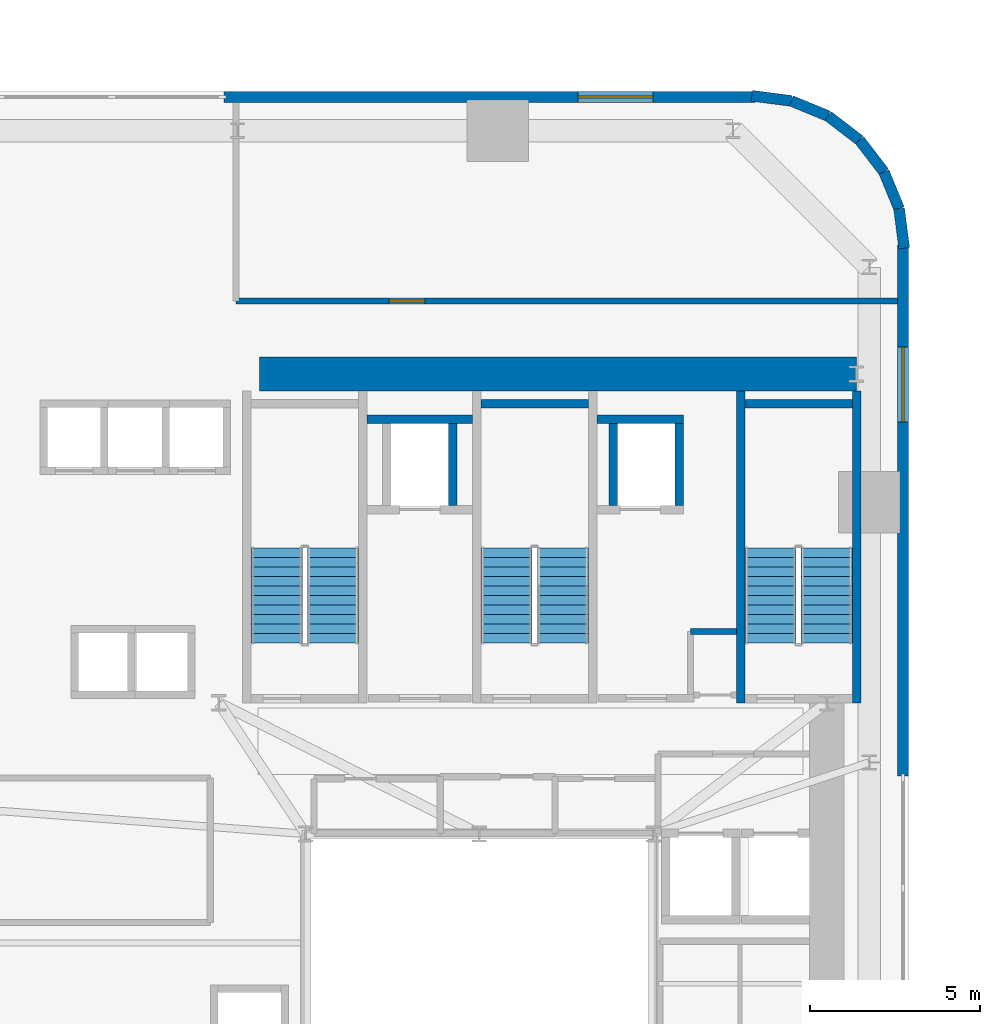
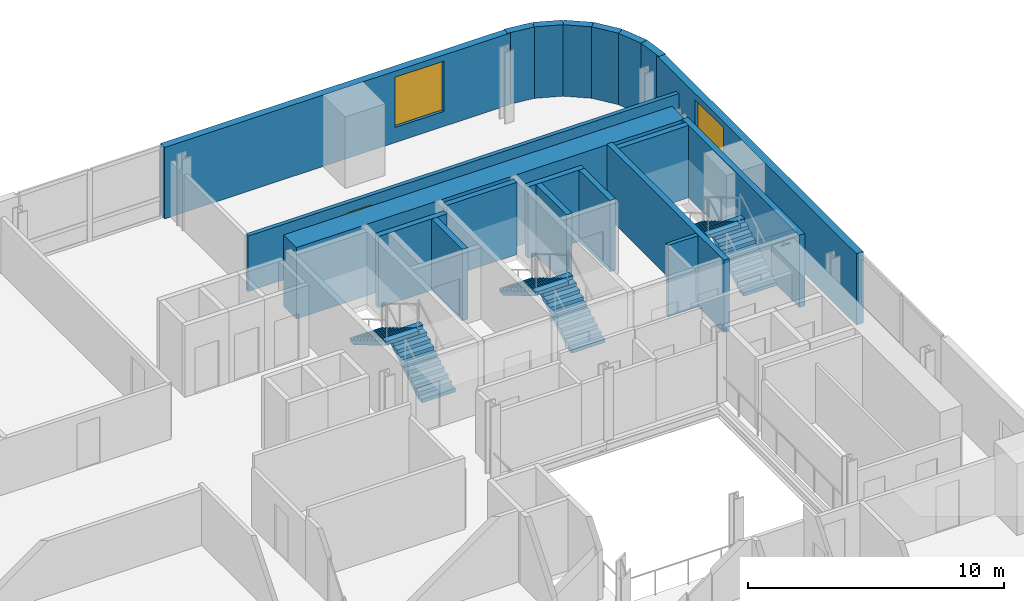
# One storey, part 9 of 13: 20 walls, 6 stair flights, 2 windows, 1 door, 3 openings, 3 elements without a shape of their own.
"""IFC4 building model written with IfcOpenShell, lengths in metres."""

from ifc_helpers import new_model, si_unit, direction, frame, frame_2d, origin, place, context, subcontext, project, spatial, polyline, rectangle, outline, extrude, source, transform, mapped, material, layer, layer_set, type_object, element, fill, aggregate, save


model = new_model("IFC4")

# Units and contexts
model_context = context("Model", 3, precision=1e-05, world=origin(), true_north=direction((0.0, 1.0)))
body_context = subcontext(model_context, "Body", "Model", "MODEL_VIEW")
ifc_project = project(units=[si_unit("LENGTHUNIT", "METRE"), si_unit("AREAUNIT", "SQUARE_METRE"), si_unit("VOLUMEUNIT", "CUBIC_METRE"), si_unit("PLANEANGLEUNIT", "RADIAN"), si_unit("MASSUNIT", "GRAM", prefix="KILO")], contexts=[model_context])

# Site, building, storey
site_placement = place(None, origin())
site = spatial("IfcSite", under=ifc_project, at=site_placement, CompositionType="ELEMENT")
building_placement = place(site_placement, origin())
building = spatial("IfcBuilding", under=site, at=building_placement, Name="Vardaveli Station Tower", CompositionType="ELEMENT")
storey_placement = place(building_placement, frame((0.0, 0.0, 45.85009765625)))
storey = spatial("IfcBuildingStorey", under=building, at=storey_placement, Name="L11", CompositionType="ELEMENT", Elevation=45.85009765625)

# Wall
ifc_material_1 = material(Name="Concrete C60/75", Category="concrete")
ifc_layer_1 = layer(ifc_material_1, 1.0, Name="Concrete C60/75")
ifc_layer_set_1 = layer_set([ifc_layer_1], Name="Concrete C60/75")
wall_type_1 = type_object("IfcWallType", Name="WAL-CORE-1000", PredefinedType="SHEAR", material=ifc_layer_set_1)
shared_shape_1 = source(origin(), body_context, "Body", "SweptSolid", [
    extrude(rectangle(XDim=17.52001953125, YDim=1.0, at=frame_2d((8.760009765625, 0.0))), origin(), (0.0, 0.0, 1.0), 3.409912109375),
])
wall_1_placement = place(storey_placement, frame((29.85009765625, 40.300048828125, 0.0), z_axis=(0.0, 0.0, 1.0), x_axis=(1.0, 0.0, 0.0)))
element("IfcWall", 1, at=wall_1_placement, inside=storey, type_object=wall_type_1, Name="SW-L11-NORTH", PredefinedType="SHEAR", context=body_context, shape_type="MappedRepresentation", body=[
    mapped(shared_shape_1, transform((0.0, 0.0, 0.0), scale=1.0)),
])

# Wall, opening, window
ifc_material_2 = material(Name="Precast concrete C45/55", Category="concrete")
ifc_layer_2 = layer(ifc_material_2, 0.320068359375, Name="Precast concrete C45/55")
ifc_layer_set_2 = layer_set([ifc_layer_2], Name="Precast concrete C45/55")
wall_type_2 = type_object("IfcWallType", Name="WAL-EXT-STONE-320", PredefinedType="SOLIDWALL", material=ifc_layer_set_2)
shared_shape_2 = source(origin(), body_context, "Body", "SweptSolid", [
    extrude(rectangle(XDim=15.599853515625, YDim=0.320068359375, at=frame_2d((7.7998046875, 0.0))), origin(), (0.0, 0.0, 1.0), 3.409912109375),
])
wall_2_placement = place(storey_placement, frame((44.39990234375, 48.43994140625, 0.0), z_axis=(0.0, 0.0, 1.0), x_axis=(-1.0, 0.0, 0.0)))
wall_2 = element("IfcWall", 2, at=wall_2_placement, inside=storey, type_object=wall_type_2, Name="EW-L11-N1", PredefinedType="SOLIDWALL", context=body_context, shape_type="MappedRepresentation", body=[
    mapped(shared_shape_2, transform((0.0, 0.0, 0.0), scale=1.0)),
])
shared_shape_3 = source(origin(), body_context, "Body", "SweptSolid", [
    extrude(rectangle(XDim=2.199951171875, YDim=2.39990234375, at=frame_2d((1.10009765625, 1.199951171875))), frame((0.0, 0.169921875, 0.0), z_axis=(0.0, -1.0, 0.0), x_axis=(1.0, 0.0, 0.0)), (0.0, 0.0, 1.0), 0.340087890625),
])
opening_1_placement = place(wall_2_placement, frame((3.0048828125, 0.0, 0.719970703125)))
opening_1 = element("IfcOpeningElement", 3, at=opening_1_placement, cuts=wall_2, Name="Opening W-03", PredefinedType="OPENING", context=body_context, shape_type="MappedRepresentation", body=[
    mapped(shared_shape_3, transform((0.0, 0.0, 0.0), scale=1.0)),
])
ifc_material_3 = material(Name="Low-E solar-control glass", Category="glass")
window_type = type_object("IfcWindowType", Name="WIN-LOG-2200x2400", PartitioningType="SINGLE_PANEL", PredefinedType="WINDOW", material=ifc_material_3)
shared_shape_4 = source(origin(), body_context, "Body", "SweptSolid", [
    extrude(rectangle(XDim=2.199951171875, YDim=2.39990234375, at=frame_2d((1.10009765625, 1.199951171875))), frame((0.0, 0.030029296875, 0.0), z_axis=(0.0, -1.0, 0.0), x_axis=(1.0, 0.0, 0.0)), (0.0, 0.0, 1.0), 0.06005859375),
])
window_1_placement = place(opening_1_placement, origin())
window_1 = element("IfcWindow", 4, at=window_1_placement, inside=storey, type_object=window_type, Name="WN-L11-N1", OverallHeight=2.39990234375, OverallWidth=2.199951171875, PartitioningType="SINGLE_PANEL", PredefinedType="WINDOW", context=body_context, shape_type="MappedRepresentation", body=[
    mapped(shared_shape_4, transform((0.0, 0.0, 0.0), scale=1.0)),
])
fill(opening_1, window_1)

shared_shape_5 = source(origin(), body_context, "Body", "SweptSolid", [
    extrude(rectangle(XDim=15.60009765625, YDim=0.320068359375, at=frame_2d((7.800048828125, 0.0))), origin(), (0.0, 0.0, 1.0), 3.409912109375),
])
wall_3_placement = place(storey_placement, frame((48.739990234375, 28.5, 0.0), z_axis=(0.0, 0.0, 1.0), x_axis=(0.0, 1.0, 0.0)))
wall_3 = element("IfcWall", 5, at=wall_3_placement, inside=storey, type_object=wall_type_2, Name="EW-L11-E2", PredefinedType="SOLIDWALL", context=body_context, shape_type="MappedRepresentation", body=[
    mapped(shared_shape_5, transform((0.0, 0.0, 0.0), scale=1.0)),
])
opening_2_placement = place(wall_3_placement, frame((10.39501953125, 0.0, 0.719970703125)))
opening_2 = element("IfcOpeningElement", 6, at=opening_2_placement, cuts=wall_3, Name="Opening W-03", PredefinedType="OPENING", context=body_context, shape_type="MappedRepresentation", body=[
    mapped(shared_shape_3, transform((0.0, 0.0, 0.0), scale=1.0)),
])
window_2_placement = place(opening_2_placement, origin())
window_2 = element("IfcWindow", 7, at=window_2_placement, inside=storey, type_object=window_type, Name="WN-L11-E2", OverallHeight=2.39990234375, OverallWidth=2.199951171875, PartitioningType="SINGLE_PANEL", PredefinedType="WINDOW", context=body_context, shape_type="MappedRepresentation", body=[
    mapped(shared_shape_4, transform((0.0, 0.0, 0.0), scale=1.0)),
])
fill(opening_2, window_2)

# Walls
shared_shape_6 = source(origin(), body_context, "Body", "SweptSolid", [
    extrude(rectangle(XDim=1.1689453125, YDim=0.320068359375, at=frame_2d((0.58447265625, 0.0))), origin(), (0.0, 0.0, 1.0), 3.409912109375),
])
wall_4_placement = place(storey_placement, frame((48.179931640625, 46.2412109375, 0.0), z_axis=(0.0, 0.0, 1.0), x_axis=(-0.608387696831, 0.793639975269, 0.0)))
element("IfcWall", 8, at=wall_4_placement, inside=storey, type_object=wall_type_2, Name="EW-L11-CR3-3", PredefinedType="SOLIDWALL", context=body_context, shape_type="MappedRepresentation", body=[
    mapped(shared_shape_6, transform((0.0, 0.0, 0.0), scale=1.0)),
])
shared_shape_7 = source(origin(), body_context, "Body", "SweptSolid", [
    extrude(rectangle(XDim=1.168701171875, YDim=0.320068359375, at=frame_2d((0.58447265625, 0.0))), origin(), (0.0, 0.0, 1.0), 3.409912109375),
])
wall_5_placement = place(storey_placement, frame((47.46875, 47.1689453125, 0.0), z_axis=(0.0, 0.0, 1.0), x_axis=(-0.793663520347, 0.608356981114, 0.0)))
element("IfcWall", 9, at=wall_5_placement, inside=storey, type_object=wall_type_2, Name="EW-L11-CR3-4", PredefinedType="SOLIDWALL", context=body_context, shape_type="MappedRepresentation", body=[
    mapped(shared_shape_7, transform((0.0, 0.0, 0.0), scale=1.0)),
])
shared_shape_8 = source(origin(), body_context, "Body", "SweptSolid", [
    extrude(rectangle(XDim=1.17041015625, YDim=0.320068359375, at=frame_2d((0.585205078125, 0.0))), origin(), (0.0, 0.0, 1.0), 3.409912109375),
])
for number, where, z_axis, x_axis, name in (
    (10, (48.775634765625, 43.99951171875, 0.0), (0.0, 0.0, 1.0), (-0.128295670475, 0.991735963317, 0.0), "EW-L11-CR3-1"),
    (11, (45.460205078125, 48.325439453125, 0.0), (0.0, 0.0, 1.0), (-0.991735963317, 0.128295670475, 0.0), "EW-L11-CR3-6"),
):
    element("IfcWall", number, at=place(storey_placement, frame(where, z_axis=z_axis, x_axis=x_axis)), inside=storey, type_object=wall_type_2, Name=name, PredefinedType="SOLIDWALL", context=body_context, shape_type="MappedRepresentation", body=[
        mapped(shared_shape_8, transform((0.0, 0.0, 0.0), scale=1.0)),
    ])
shared_shape_9 = source(origin(), body_context, "Body", "SweptSolid", [
    extrude(rectangle(XDim=1.169189453125, YDim=0.320068359375, at=frame_2d((0.58447265625, 0.0))), origin(), (0.0, 0.0, 1.0), 3.409912109375),
])
for number, where, z_axis, x_axis, name in (
    (12, (48.62548828125, 45.16015625, 0.0), (0.0, 0.0, 1.0), (-0.381054331552, 0.924552646638, 0.0), "EW-L11-CR3-2"),
    (13, (46.541259765625, 47.8798828125, 0.0), (0.0, 0.0, 1.0), (-0.924552646638, 0.381054331552, 0.0), "EW-L11-CR3-5"),
):
    element("IfcWall", number, at=place(storey_placement, frame(where, z_axis=z_axis, x_axis=x_axis)), inside=storey, type_object=wall_type_2, Name=name, PredefinedType="SOLIDWALL", context=body_context, shape_type="MappedRepresentation", body=[
        mapped(shared_shape_9, transform((0.0, 0.0, 0.0), scale=1.0)),
    ])
ifc_material_4 = material(Name="Concrete C40/50", Category="concrete")
ifc_layer_3 = layer(ifc_material_4, 0.25, Name="Concrete C40/50")
ifc_layer_set_3 = layer_set([ifc_layer_3], Name="Concrete C40/50")
wall_type_3 = type_object("IfcWallType", Name="WAL-SHAFT-250", PredefinedType="SOLIDWALL", material=ifc_layer_set_3)
shared_shape_10 = source(origin(), body_context, "Body", "SweptSolid", [
    extrude(rectangle(XDim=9.150146484375, YDim=0.25, at=frame_2d((4.5751953125, 0.0))), origin(), (0.0, 0.0, 1.0), 3.449951171875),
])
for number, where, z_axis, x_axis, name in (
    (14, (43.97509765625, 30.64990234375, 0.0), (0.0, 0.0, 1.0), (0.0, 1.0, 0.0), "W-L11-ST-3W"),
    (15, (47.375, 30.64990234375, 0.0), (0.0, 0.0, 1.0), (0.0, 1.0, 0.0), "W-L11-ST-3E"),
):
    element("IfcWall", number, at=place(storey_placement, frame(where, z_axis=z_axis, x_axis=x_axis)), inside=storey, type_object=wall_type_3, Name=name, PredefinedType="SOLIDWALL", context=body_context, shape_type="MappedRepresentation", body=[
        mapped(shared_shape_10, transform((0.0, 0.0, 0.0), scale=1.0)),
    ])
shared_shape_11 = source(origin(), body_context, "Body", "SweptSolid", [
    extrude(rectangle(XDim=3.14990234375, YDim=0.25, at=frame_2d((1.574951171875, 0.0))), origin(), (0.0, 0.0, 1.0), 3.449951171875),
])
for number, where, z_axis, x_axis, name in (
    (16, (36.35009765625, 39.425048828125, 0.0), (0.0, 0.0, 1.0), (1.0, 0.0, 0.0), "W-L11-ST-2N"),
    (17, (44.10009765625, 39.425048828125, 0.0), (0.0, 0.0, 1.0), (1.0, 0.0, 0.0), "W-L11-ST-3N"),
):
    element("IfcWall", number, at=place(storey_placement, frame(where, z_axis=z_axis, x_axis=x_axis)), inside=storey, type_object=wall_type_3, Name=name, PredefinedType="SOLIDWALL", context=body_context, shape_type="MappedRepresentation", body=[
        mapped(shared_shape_11, transform((0.0, 0.0, 0.0), scale=1.0)),
    ])
shared_shape_12 = source(origin(), body_context, "Body", "SweptSolid", [
    extrude(rectangle(XDim=3.10009765625, YDim=0.25, at=frame_2d((1.550048828125, 0.0))), origin(), (0.0, 0.0, 1.0), 3.409912109375),
])
wall_6_placement = place(storey_placement, frame((33.0, 38.97509765625, 0.0), z_axis=(0.0, 0.0, 1.0), x_axis=(1.0, 0.0, 0.0)))
element("IfcWall", 18, at=wall_6_placement, inside=storey, type_object=wall_type_3, Name="SHW-FFL-01-L11-N", PredefinedType="SOLIDWALL", context=body_context, shape_type="MappedRepresentation", body=[
    mapped(shared_shape_12, transform((0.0, 0.0, 0.0), scale=1.0)),
])
shared_shape_13 = source(origin(), body_context, "Body", "SweptSolid", [
    extrude(rectangle(XDim=2.400146484375, YDim=0.25, at=frame_2d((1.2001953125, 0.0))), origin(), (0.0, 0.0, 1.0), 3.409912109375),
])
for number, where, z_axis, x_axis, name in (
    (19, (35.52490234375, 36.449951171875, 0.0), (0.0, 0.0, 1.0), (0.0, 1.0, 0.0), "SHW-FFL-01-L11-E"),
    (20, (40.22509765625, 36.449951171875, 0.0), (0.0, 0.0, 1.0), (0.0, 1.0, 0.0), "SHW-FFL-02-L11-W"),
    (21, (42.175048828125, 36.449951171875, 0.0), (0.0, 0.0, 1.0), (0.0, 1.0, 0.0), "SHW-FFL-02-L11-E"),
):
    element("IfcWall", number, at=place(storey_placement, frame(where, z_axis=z_axis, x_axis=x_axis)), inside=storey, type_object=wall_type_3, Name=name, PredefinedType="SOLIDWALL", context=body_context, shape_type="MappedRepresentation", body=[
        mapped(shared_shape_13, transform((0.0, 0.0, 0.0), scale=1.0)),
    ])
shared_shape_14 = source(origin(), body_context, "Body", "SweptSolid", [
    extrude(rectangle(XDim=2.550048828125, YDim=0.25, at=frame_2d((1.27490234375, 0.0))), origin(), (0.0, 0.0, 1.0), 3.409912109375),
])
wall_7_placement = place(storey_placement, frame((39.75, 38.97509765625, 0.0), z_axis=(0.0, 0.0, 1.0), x_axis=(1.0, 0.0, 0.0)))
element("IfcWall", 22, at=wall_7_placement, inside=storey, type_object=wall_type_3, Name="SHW-FFL-02-L11-N", PredefinedType="SOLIDWALL", context=body_context, shape_type="MappedRepresentation", body=[
    mapped(shared_shape_14, transform((0.0, 0.0, 0.0), scale=1.0)),
])

# Wall, opening, door
ifc_material_5 = material(Name="Fire-rated gypsum stud partition")
ifc_layer_4 = layer(ifc_material_5, 0.179931640625, Name="Fire-rated gypsum stud partition")
ifc_layer_set_4 = layer_set([ifc_layer_4], Name="Fire-rated gypsum stud partition")
wall_type_4 = type_object("IfcWallType", Name="WAL-CORR-180", PredefinedType="PARTITIONING", material=ifc_layer_set_4)
shared_shape_15 = source(origin(), body_context, "Body", "SweptSolid", [
    extrude(rectangle(XDim=19.427978515625, YDim=0.179931640625, at=frame_2d((9.7138671875, 0.0))), origin(), (0.0, 0.0, 1.0), 2.65185546875),
])
wall_8_placement = place(storey_placement, frame((29.14990234375, 42.449951171875, 0.0), z_axis=(0.0, 0.0, 1.0), x_axis=(1.0, 0.0, 0.0)))
wall_8 = element("IfcWall", 23, at=wall_8_placement, inside=storey, type_object=wall_type_4, Name="W-L11-NPS", PredefinedType="PARTITIONING", context=body_context, shape_type="MappedRepresentation", body=[
    mapped(shared_shape_15, transform((0.0, 0.0, 0.0), scale=1.0)),
])
shared_shape_16 = source(origin(), body_context, "Body", "SweptSolid", [
    extrude(rectangle(XDim=1.050048828125, YDim=2.199951171875, at=frame_2d((0.52490234375, 1.10009765625))), frame((0.0, 0.10009765625, 0.0), z_axis=(0.0, -1.0, 0.0), x_axis=(1.0, 0.0, 0.0)), (0.0, 0.0, 1.0), 0.199951171875),
])
opening_3_placement = place(wall_8_placement, frame((4.5, 0.0, 0.0)))
opening_3 = element("IfcOpeningElement", 24, at=opening_3_placement, cuts=wall_8, Name="Opening D-05", PredefinedType="OPENING", context=body_context, shape_type="MappedRepresentation", body=[
    mapped(shared_shape_16, transform((0.0, 0.0, 0.0), scale=1.0)),
])
ifc_material_6 = material(Name="Walnut veneer acoustic fire door")
door_type = type_object("IfcDoorType", Name="DR-SUITE-1050x2200", OperationType="NOTDEFINED", PredefinedType="DOOR", material=ifc_material_6)
shared_shape_17 = source(origin(), body_context, "Body", "SweptSolid", [
    extrude(rectangle(XDim=1.050048828125, YDim=2.199951171875, at=frame_2d((0.52490234375, 1.10009765625))), frame((0.0, 0.02490234375, 0.0), z_axis=(0.0, -1.0, 0.0), x_axis=(1.0, 0.0, 0.0)), (0.0, 0.0, 1.0), 0.050048828125),
])
door_placement = place(opening_3_placement, origin())
door = element("IfcDoor", 25, at=door_placement, inside=storey, type_object=door_type, Name="D-L11-NP1", OperationType="SINGLE_SWING_RIGHT", OverallHeight=2.199951171875, OverallWidth=1.050048828125, PredefinedType="DOOR", context=body_context, shape_type="MappedRepresentation", body=[
    mapped(shared_shape_17, transform((0.0, 0.0, 0.0), scale=1.0)),
])
fill(opening_3, door)

# Wall
shared_shape_18 = source(origin(), body_context, "Body", "SweptSolid", [
    extrude(rectangle(XDim=1.347900390625, YDim=0.179931640625, at=frame_2d((0.673828125, 0.0))), origin(), (0.0, 0.0, 1.0), 3.409912109375),
])
wall_9_placement = place(storey_placement, frame((42.5, 32.75, 0.0), z_axis=(0.0, 0.0, 1.0), x_axis=(1.0, 0.0, 0.0)))
element("IfcWall", 26, at=wall_9_placement, inside=storey, type_object=wall_type_4, Name="W-L11-CBS2A-N", PredefinedType="PARTITIONING", context=body_context, shape_type="MappedRepresentation", body=[
    mapped(shared_shape_18, transform((0.0, 0.0, 0.0), scale=1.0)),
])

# Stair, stair flights
stair_type = type_object("IfcStairType", Name="STR-CORE-1500", PredefinedType="HALF_TURN_STAIR", material=ifc_material_4)
stair_1_placement = place(storey_placement, origin())
stair_1 = element("IfcStair", 27, at=stair_1_placement, inside=storey, type_object=stair_type, Name="L11 ST-1", PredefinedType="HALF_TURN_STAIR")
stair_flight_type = type_object("IfcStairFlightType", Name="SFL-CORE-1500", PredefinedType="STRAIGHT", material=ifc_material_4)
shared_shape_19 = source(origin(), body_context, "Body", "SweptSolid", [
    extrude(outline(polyline([(0.0, 0.0), (0.0, 0.166015625), (0.280029296875, 0.166015625), (0.280029296875, 0.331787109375), (0.56005859375, 0.331787109375), (0.56005859375, 0.497802734375), (0.840087890625, 0.497802734375), (0.840087890625, 0.66357421875), (1.1201171875, 0.66357421875), (1.1201171875, 0.82958984375), (1.39990234375, 0.82958984375), (1.39990234375, 0.995361328125), (1.679931640625, 0.995361328125), (1.679931640625, 1.161376953125), (1.9599609375, 1.161376953125), (1.9599609375, 1.327392578125), (2.239990234375, 1.327392578125), (2.239990234375, 1.4931640625), (2.52001953125, 1.4931640625), (2.52001953125, 1.6591796875), (2.800048828125, 1.6591796875), (2.800048828125, 1.824951171875), (2.800048828125, 1.48486328125), (0.2939453125, 0.0), (0.0, 0.0)])), frame((0.0, 0.75, 0.0), z_axis=(0.0, -1.0, 0.0), x_axis=(1.0, 0.0, 0.0)), (0.0, 0.0, 1.0), 1.5),
])
stair_flight_1_placement = place(storey_placement, frame((32.0, 32.39990234375, 0.0), z_axis=(0.0, 0.0, 1.0), x_axis=(0.0, 1.0, 0.0)))
stair_flight_1 = element("IfcStairFlight", 28, at=stair_flight_1_placement, type_object=stair_flight_type, Name="ST-1 flight 1", NumberOfRisers=11, NumberOfTreads=10, PredefinedType="STRAIGHT", RiserHeight=0.165909091, TreadLength=0.28, context=body_context, shape_type="MappedRepresentation", body=[
    mapped(shared_shape_19, transform((0.0, 0.0, 0.0), scale=1.0)),
])
stair_flight_2_placement = place(storey_placement, frame((30.35009765625, 35.199951171875, 1.824951171875), z_axis=(0.0, 0.0, 1.0), x_axis=(0.0, -1.0, 0.0)))
stair_flight_2 = element("IfcStairFlight", 29, at=stair_flight_2_placement, type_object=stair_flight_type, Name="ST-1 flight 2", NumberOfRisers=11, NumberOfTreads=10, PredefinedType="STRAIGHT", RiserHeight=0.165909091, TreadLength=0.28, context=body_context, shape_type="MappedRepresentation", body=[
    mapped(shared_shape_19, transform((0.0, 0.0, 0.0), scale=1.0)),
])
aggregate(stair_1, [stair_flight_1, stair_flight_2])

stair_2_placement = place(storey_placement, origin())
stair_2 = element("IfcStair", 30, at=stair_2_placement, inside=storey, type_object=stair_type, Name="L11 ST-2", PredefinedType="HALF_TURN_STAIR")
stair_flight_3_placement = place(storey_placement, frame((38.75, 32.39990234375, 0.0), z_axis=(0.0, 0.0, 1.0), x_axis=(0.0, 1.0, 0.0)))
stair_flight_3 = element("IfcStairFlight", 31, at=stair_flight_3_placement, type_object=stair_flight_type, Name="ST-2 flight 1", NumberOfRisers=11, NumberOfTreads=10, PredefinedType="STRAIGHT", RiserHeight=0.165909091, TreadLength=0.28, context=body_context, shape_type="MappedRepresentation", body=[
    mapped(shared_shape_19, transform((0.0, 0.0, 0.0), scale=1.0)),
])
stair_flight_4_placement = place(storey_placement, frame((37.10009765625, 35.199951171875, 1.824951171875), z_axis=(0.0, 0.0, 1.0), x_axis=(0.0, -1.0, 0.0)))
stair_flight_4 = element("IfcStairFlight", 32, at=stair_flight_4_placement, type_object=stair_flight_type, Name="ST-2 flight 2", NumberOfRisers=11, NumberOfTreads=10, PredefinedType="STRAIGHT", RiserHeight=0.165909091, TreadLength=0.28, context=body_context, shape_type="MappedRepresentation", body=[
    mapped(shared_shape_19, transform((0.0, 0.0, 0.0), scale=1.0)),
])
aggregate(stair_2, [stair_flight_3, stair_flight_4])

stair_3_placement = place(storey_placement, origin())
stair_3 = element("IfcStair", 33, at=stair_3_placement, inside=storey, type_object=stair_type, Name="L11 ST-3", PredefinedType="HALF_TURN_STAIR")
stair_flight_5_placement = place(storey_placement, frame((46.5, 32.39990234375, 0.0), z_axis=(0.0, 0.0, 1.0), x_axis=(0.0, 1.0, 0.0)))
stair_flight_5 = element("IfcStairFlight", 34, at=stair_flight_5_placement, type_object=stair_flight_type, Name="ST-3 flight 1", NumberOfRisers=11, NumberOfTreads=10, PredefinedType="STRAIGHT", RiserHeight=0.165909091, TreadLength=0.28, context=body_context, shape_type="MappedRepresentation", body=[
    mapped(shared_shape_19, transform((0.0, 0.0, 0.0), scale=1.0)),
])
stair_flight_6_placement = place(storey_placement, frame((44.85009765625, 35.199951171875, 1.824951171875), z_axis=(0.0, 0.0, 1.0), x_axis=(0.0, -1.0, 0.0)))
stair_flight_6 = element("IfcStairFlight", 35, at=stair_flight_6_placement, type_object=stair_flight_type, Name="ST-3 flight 2", NumberOfRisers=11, NumberOfTreads=10, PredefinedType="STRAIGHT", RiserHeight=0.165909091, TreadLength=0.28, context=body_context, shape_type="MappedRepresentation", body=[
    mapped(shared_shape_19, transform((0.0, 0.0, 0.0), scale=1.0)),
])
aggregate(stair_3, [stair_flight_5, stair_flight_6])

save(model, "model.ifc")
